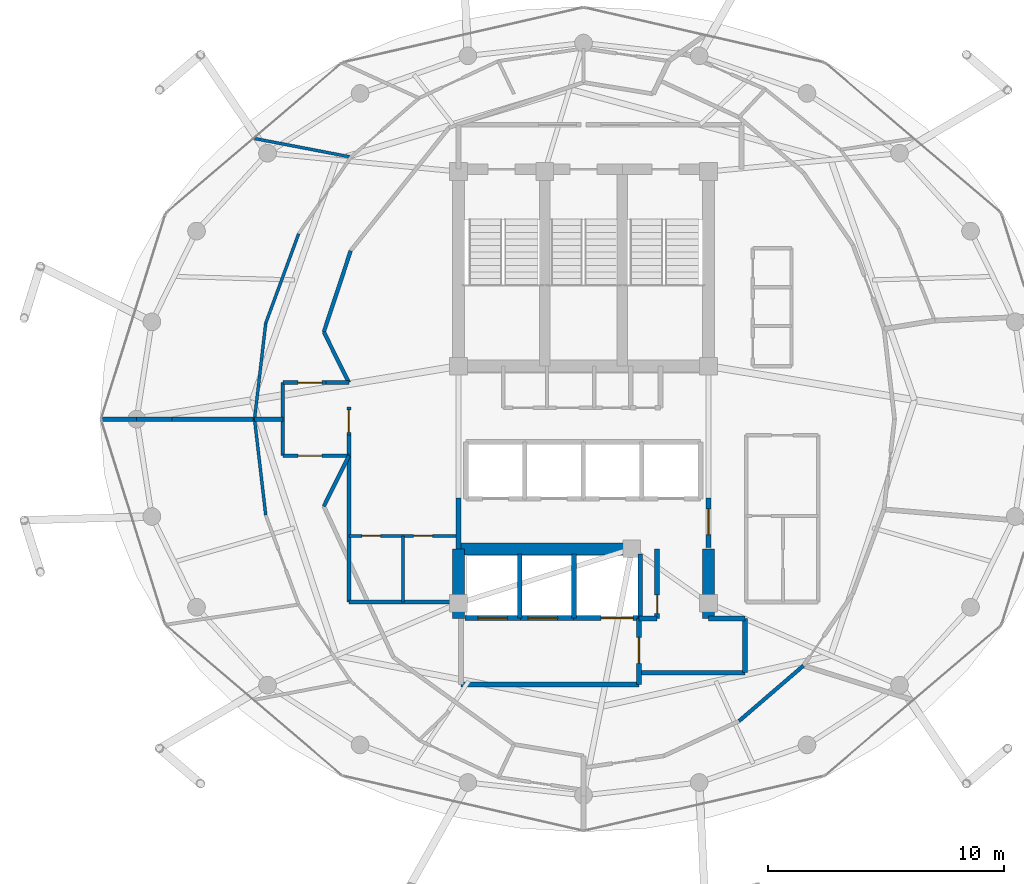
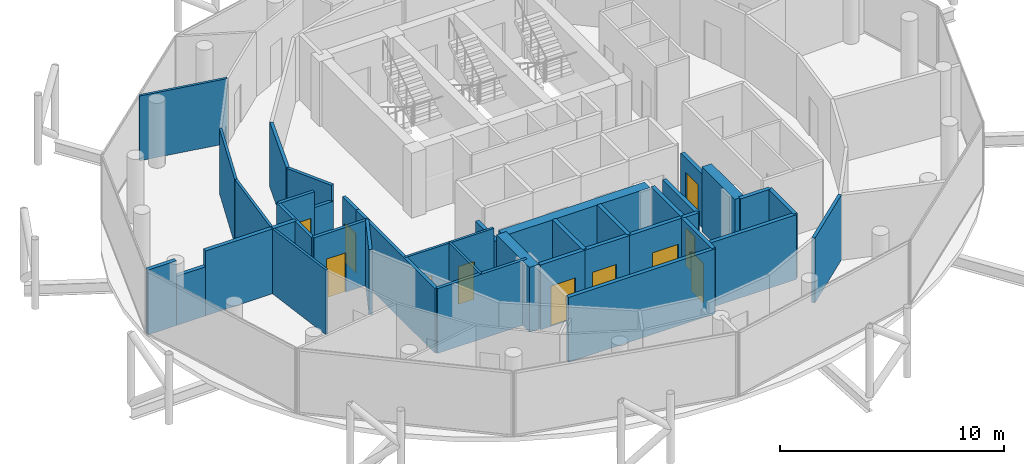
# One storey, part 20 of 24: 39 walls, 11 doors, 11 openings.
"""IFC4 building model written with IfcOpenShell, lengths in metres."""

from ifc_helpers import new_model, si_unit, direction, frame, frame_2d, origin, place, context, subcontext, project, spatial, rectangle, extrude, material, layer, layer_set, type_object, element, fill, save


model = new_model("IFC4")

# Units and contexts
model_context = context("Model", 3, precision=1e-05, world=origin(), true_north=direction((0.0, 1.0)))
body_context = subcontext(model_context, "Body", "Model", "MODEL_VIEW")
ifc_project = project(units=[si_unit("LENGTHUNIT", "METRE"), si_unit("AREAUNIT", "SQUARE_METRE"), si_unit("VOLUMEUNIT", "CUBIC_METRE"), si_unit("PLANEANGLEUNIT", "RADIAN"), si_unit("MASSUNIT", "GRAM", prefix="KILO")], contexts=[model_context])

# Site, building, storey
site_placement = place(None, origin())
site = spatial("IfcSite", under=ifc_project, at=site_placement, CompositionType="ELEMENT")
building_placement = place(site_placement, origin())
building = spatial("IfcBuilding", under=site, at=building_placement, Name="Nuhasar Tower", CompositionType="ELEMENT")
storey_placement = place(building_placement, frame((0.0, 0.0, 293.60009765625)))
storey = spatial("IfcBuildingStorey", under=building, at=storey_placement, Name="L73", CompositionType="ELEMENT", Elevation=293.60009765625)

# Walls
ifc_material_1 = material(Name="Concrete C50/60", Category="concrete")
ifc_layer_1 = layer(ifc_material_1, 0.5)
ifc_layer_set_1 = layer_set([ifc_layer_1], Name="Concrete C50/60")
wall_type_1 = type_object("IfcWallType", Name="WL-CORE-500", PredefinedType="SHEAR", material=ifc_layer_set_1)
for number, where, z_axis, x_axis, name in (
    (1, (33.699951171875, 18.35009765625, 0.0), (0.0, 0.0, 1.0), (0.0, 1.0, 0.0), "L73 Core Shear Wall CW-SW CW-500"),
    (2, (44.300048828125, 18.35009765625, 0.0), (0.0, 0.0, 1.0), (0.0, 1.0, 0.0), "L73 Core Shear Wall CW-SE CW-500"),
):
    element("IfcWall", number, at=place(storey_placement, frame(where, z_axis=z_axis, x_axis=x_axis)), inside=storey, type_object=wall_type_1, Name=name, PredefinedType="SHEAR", context=body_context, shape_type="SweptSolid", body=[
        extrude(rectangle(XDim=2.949951171875, YDim=0.5, at=frame_2d((1.47509765625, 0.0))), origin(), (0.0, 0.0, 1.0), 3.539794921875),
    ])
wall_1_placement = place(storey_placement, frame((33.699951171875, 21.300048828125, 0.0), z_axis=(0.0, 0.0, 1.0), x_axis=(1.0, 0.0, 0.0)))
element("IfcWall", 3, at=wall_1_placement, inside=storey, type_object=wall_type_1, Name="L73 Core Shear Wall CW-S1 CW-500", PredefinedType="SHEAR", context=body_context, shape_type="SweptSolid", body=[
    extrude(rectangle(XDim=7.550048828125, YDim=0.5, at=frame_2d((3.77490234375, 0.0))), origin(), (0.0, 0.0, 1.0), 3.539794921875),
])
ifc_material_2 = material(Name="Gypsum Board", Category="gypsum")
ifc_layer_2 = layer(ifc_material_2, 0.159912109375)
ifc_layer_set_2 = layer_set([ifc_layer_2], Name="Gypsum Board")
wall_type_2 = type_object("IfcWallType", Name="WL-CORR-160", PredefinedType="PARTITIONING", material=ifc_layer_set_2)
wall_2_placement = place(storey_placement, frame((29.050048828125, 19.050048828125, 0.0), z_axis=(0.0, 0.0, 1.0), x_axis=(1.0, 0.0, 0.0)))
element("IfcWall", 4, at=wall_2_placement, inside=storey, type_object=wall_type_2, Name="L73 Interior Partition RECL-B1-S", PredefinedType="PARTITIONING", context=body_context, shape_type="SweptSolid", body=[
    extrude(rectangle(XDim=4.64990234375, YDim=0.159912109375, at=frame_2d((2.324951171875, 0.0))), origin(), (0.0, 0.0, 1.0), 3.539794921875),
])
wall_3_placement = place(storey_placement, frame((29.050048828125, 19.050048828125, 0.0), z_axis=(0.0, 0.0, 1.0), x_axis=(0.0, 1.0, 0.0)))
element("IfcWall", 5, at=wall_3_placement, inside=storey, type_object=wall_type_2, Name="L73 Interior Partition RECL-B1-W", PredefinedType="PARTITIONING", context=body_context, shape_type="SweptSolid", body=[
    extrude(rectangle(XDim=7.070068359375, YDim=0.159912109375, at=frame_2d((3.53515625, 0.0))), origin(), (0.0, 0.0, 1.0), 3.539794921875),
])

# Wall, opening, door
wall_4_placement = place(storey_placement, frame((29.050048828125, 26.1201171875, 0.0), z_axis=(0.0, 0.0, 1.0), x_axis=(0.0, 1.0, 0.0)))
wall_4 = element("IfcWall", 6, at=wall_4_placement, inside=storey, type_object=wall_type_2, Name="L73 Interior Partition WVEST-E", PredefinedType="PARTITIONING", context=body_context, shape_type="SweptSolid", body=[
    extrude(rectangle(XDim=1.199951171875, YDim=0.159912109375, at=frame_2d((0.60009765625, 0.0))), origin(), (0.0, 0.0, 1.0), 3.539794921875),
])
opening_1_placement = place(wall_4_placement, frame((0.125, 0.0, 0.0)))
opening_1 = element("IfcOpeningElement", 7, at=opening_1_placement, cuts=wall_4, Name="Opening DO-01", PredefinedType="OPENING", context=body_context, shape_type="SweptSolid", body=[
    extrude(rectangle(XDim=0.949951171875, YDim=2.14990234375, at=frame_2d((0.47509765625, 1.074951171875))), frame((0.0, 0.08984375, 0.0), z_axis=(0.0, -1.0, 0.0), x_axis=(1.0, 0.0, 0.0)), (0.0, 0.0, 1.0), 0.179931640625),
])
ifc_material_3 = material(Name="Timber Oak", Category="wood")
door_type_1 = type_object("IfcDoorType", Name="DR-OFFICE-FD30-950", OperationType="NOTDEFINED", PredefinedType="DOOR", material=ifc_material_3)
door_1_placement = place(opening_1_placement, origin())
door_1 = element("IfcDoor", 8, at=door_1_placement, inside=storey, type_object=door_type_1, Name="L73 West Arrival Foyer Core Door", OperationType="SINGLE_SWING_RIGHT", OverallHeight=2.14990234375, OverallWidth=0.949951171875, PredefinedType="DOOR", context=body_context, shape_type="SweptSolid", body=[
    extrude(rectangle(XDim=0.949951171875, YDim=2.14990234375, at=frame_2d((0.47509765625, 1.074951171875))), frame((0.0, 0.02490234375, 0.0), z_axis=(0.0, -1.0, 0.0), x_axis=(1.0, 0.0, 0.0)), (0.0, 0.0, 1.0), 0.050048828125),
])
fill(opening_1, door_1)

# Walls
wall_5_placement = place(storey_placement, frame((45.594970703125, 14.0, 0.0), z_axis=(0.0, 0.0, 1.0), x_axis=(0.758232091793, 0.651984735231, 0.0)))
element("IfcWall", 9, at=wall_5_placement, inside=storey, type_object=wall_type_2, Name="L73 Interior Partition CORR-40", PredefinedType="PARTITIONING", context=body_context, shape_type="SweptSolid", body=[
    extrude(rectangle(XDim=3.60302734375, YDim=0.159912109375, at=frame_2d((1.801513671875, 0.0))), origin(), (0.0, 0.0, 1.0), 3.539794921875),
])
wall_6_placement = place(storey_placement, frame((29.126953125, 33.93994140625, 0.0), z_axis=(0.0, 0.0, 1.0), x_axis=(-0.313985571683, -0.949427754374, 0.0)))
element("IfcWall", 10, at=wall_6_placement, inside=storey, type_object=wall_type_2, Name="L73 Interior Partition UWEST-CORE-N2-20", PredefinedType="PARTITIONING", context=body_context, shape_type="SweptSolid", body=[
    extrude(rectangle(XDim=3.627197265625, YDim=0.159912109375, at=frame_2d((1.8134765625, 0.0))), origin(), (0.0, 0.0, 1.0), 3.539794921875),
])

# Wall, opening, door
wall_7_placement = place(storey_placement, frame((26.25, 28.35009765625, 0.0), z_axis=(0.0, 0.0, 1.0), x_axis=(1.0, 0.0, 0.0)))
wall_7 = element("IfcWall", 11, at=wall_7_placement, inside=storey, type_object=wall_type_2, Name="L73 Interior Partition WVEST-N", PredefinedType="PARTITIONING", context=body_context, shape_type="SweptSolid", body=[
    extrude(rectangle(XDim=1.820068359375, YDim=0.159912109375, at=frame_2d((0.91015625, 0.0))), origin(), (0.0, 0.0, 1.0), 3.539794921875),
])
opening_2_placement = place(wall_7_placement, frame((0.64990234375, 0.0, 0.0)))
opening_2 = element("IfcOpeningElement", 12, at=opening_2_placement, cuts=wall_7, Name="Opening DU-02", PredefinedType="OPENING", context=body_context, shape_type="SweptSolid", body=[
    extrude(rectangle(XDim=1.0, YDim=2.14990234375, at=frame_2d((0.5, 1.074951171875))), frame((0.0, 0.08984375, 0.0), z_axis=(0.0, -1.0, 0.0), x_axis=(1.0, 0.0, 0.0)), (0.0, 0.0, 1.0), 0.179931640625),
])
door_type_2 = type_object("IfcDoorType", Name="DR-FLAT-FD60-1000", OperationType="NOTDEFINED", PredefinedType="DOOR", material=ifc_material_3)
door_2_placement = place(opening_2_placement, origin())
door_2 = element("IfcDoor", 13, at=door_2_placement, inside=storey, type_object=door_type_2, Name="L73 North-West Sky Home Entrance", OperationType="SINGLE_SWING_LEFT", OverallHeight=2.14990234375, OverallWidth=1.0, PredefinedType="DOOR", context=body_context, shape_type="SweptSolid", body=[
    extrude(rectangle(XDim=1.0, YDim=2.14990234375, at=frame_2d((0.5, 1.074951171875))), frame((0.0, 0.02490234375, 0.0), z_axis=(0.0, -1.0, 0.0), x_axis=(1.0, 0.0, 0.0)), (0.0, 0.0, 1.0), 0.050048828125),
])
fill(opening_2, door_2)

# Wall
wall_8_placement = place(storey_placement, frame((28.070068359375, 28.35009765625, 0.0), z_axis=(0.0, 0.0, 1.0), x_axis=(1.0, 0.0, 0.0)))
element("IfcWall", 14, at=wall_8_placement, inside=storey, type_object=wall_type_2, Name="L73 Interior Partition WVEST-N", PredefinedType="PARTITIONING", context=body_context, shape_type="SweptSolid", body=[
    extrude(rectangle(XDim=0.97998046875, YDim=0.159912109375, at=frame_2d((0.489990234375, 0.0))), origin(), (0.0, 0.0, 1.0), 2.679931640625),
])

# Wall, opening, door
wall_9_placement = place(storey_placement, frame((26.25, 25.25, 0.0), z_axis=(0.0, 0.0, 1.0), x_axis=(1.0, 0.0, 0.0)))
wall_9 = element("IfcWall", 15, at=wall_9_placement, inside=storey, type_object=wall_type_2, Name="L73 Interior Partition WVEST-S", PredefinedType="PARTITIONING", context=body_context, shape_type="SweptSolid", body=[
    extrude(rectangle(XDim=2.800048828125, YDim=0.159912109375, at=frame_2d((1.39990234375, 0.0))), origin(), (0.0, 0.0, 1.0), 3.539794921875),
])
opening_3_placement = place(wall_9_placement, frame((0.64990234375, 0.0, 0.0)))
opening_3 = element("IfcOpeningElement", 16, at=opening_3_placement, cuts=wall_9, Name="Opening DU-02", PredefinedType="OPENING", context=body_context, shape_type="SweptSolid", body=[
    extrude(rectangle(XDim=1.0, YDim=2.14990234375, at=frame_2d((0.5, 1.074951171875))), frame((0.0, 0.08984375, 0.0), z_axis=(0.0, -1.0, 0.0), x_axis=(1.0, 0.0, 0.0)), (0.0, 0.0, 1.0), 0.179931640625),
])
door_3_placement = place(opening_3_placement, origin())
door_3 = element("IfcDoor", 17, at=door_3_placement, inside=storey, type_object=door_type_2, Name="L73 South-West Sky Home Entrance", OperationType="SINGLE_SWING_LEFT", OverallHeight=2.14990234375, OverallWidth=1.0, PredefinedType="DOOR", context=body_context, shape_type="SweptSolid", body=[
    extrude(rectangle(XDim=1.0, YDim=2.14990234375, at=frame_2d((0.5, 1.074951171875))), frame((0.0, 0.02490234375, 0.0), z_axis=(0.0, -1.0, 0.0), x_axis=(1.0, 0.0, 0.0)), (0.0, 0.0, 1.0), 0.050048828125),
])
fill(opening_3, door_3)

# Walls
wall_10_placement = place(storey_placement, frame((26.25, 25.25, 0.0), z_axis=(0.0, 0.0, 1.0), x_axis=(0.0, 1.0, 0.0)))
element("IfcWall", 18, at=wall_10_placement, inside=storey, type_object=wall_type_2, Name="L73 Interior Partition WVEST-W", PredefinedType="PARTITIONING", context=body_context, shape_type="SweptSolid", body=[
    extrude(rectangle(XDim=3.10009765625, YDim=0.159912109375, at=frame_2d((1.550048828125, 0.0))), origin(), (0.0, 0.0, 1.0), 3.539794921875),
])
for number, where, z_axis, x_axis, name in (
    (19, (27.988037109375, 30.49609375, 0.0), (0.0, 0.0, 1.0), (0.443539160525, -0.896254993337, 0.0), "L73 Interior Partition WVEST-CN"),
    (20, (27.988037109375, 23.10400390625, 0.0), (0.0, 0.0, 1.0), (0.443539160525, 0.896254993337, 0.0), "L73 Interior Partition WVEST-CS"),
):
    element("IfcWall", number, at=place(storey_placement, frame(where, z_axis=z_axis, x_axis=x_axis)), inside=storey, type_object=wall_type_2, Name=name, PredefinedType="PARTITIONING", context=body_context, shape_type="SweptSolid", body=[
        extrude(rectangle(XDim=2.394287109375, YDim=0.159912109375, at=frame_2d((1.197265625, 0.0))), origin(), (0.0, 0.0, 1.0), 3.539794921875),
    ])
ifc_material_4 = material(Name="Concrete C45/55", Category="concrete")
ifc_layer_3 = layer(ifc_material_4, 0.199951171875)
ifc_layer_set_3 = layer_set([ifc_layer_3], Name="Concrete C45/55")
wall_type_3 = type_object("IfcWallType", Name="WL-LOBBY-200", PredefinedType="SOLIDWALL", material=ifc_layer_set_3)
wall_11_placement = place(storey_placement, frame((33.699951171875, 21.300048828125, 0.0), z_axis=(0.0, 0.0, 1.0), x_axis=(0.0, 1.0, 0.0)))
element("IfcWall", 21, at=wall_11_placement, inside=storey, type_object=wall_type_3, Name="L73 Interior Partition LLBH-W", PredefinedType="SOLIDWALL", context=body_context, shape_type="SweptSolid", body=[
    extrude(rectangle(XDim=2.14990234375, YDim=0.199951171875, at=frame_2d((1.074951171875, 0.0))), origin(), (0.0, 0.0, 1.0), 2.9248046875),
])

# Wall, opening, door
wall_12_placement = place(storey_placement, frame((44.300048828125, 21.35009765625, 0.0), z_axis=(0.0, 0.0, 1.0), x_axis=(0.0, 1.0, 0.0)))
wall_12 = element("IfcWall", 22, at=wall_12_placement, inside=storey, type_object=wall_type_3, Name="L73 Interior Partition LLBH-E", PredefinedType="SOLIDWALL", context=body_context, shape_type="SweptSolid", body=[
    extrude(rectangle(XDim=2.099853515625, YDim=0.199951171875, at=frame_2d((1.0498046875, 0.0))), origin(), (0.0, 0.0, 1.0), 2.9248046875),
])
opening_4_placement = place(wall_12_placement, frame((0.550048828125, 0.0, 0.0)))
opening_4 = element("IfcOpeningElement", 23, at=opening_4_placement, cuts=wall_12, Name="Opening DS-02", PredefinedType="OPENING", context=body_context, shape_type="SweptSolid", body=[
    extrude(rectangle(XDim=1.10009765625, YDim=2.14990234375, at=frame_2d((0.550048828125, 1.074951171875))), frame((0.0, 0.10986328125, 0.0), z_axis=(0.0, -1.0, 0.0), x_axis=(1.0, 0.0, 0.0)), (0.0, 0.0, 1.0), 0.219970703125),
])
ifc_material_5 = material(Name="Steel S355", Category="steel")
door_type_3 = type_object("IfcDoorType", Name="DR-FFL-FD120-1100", OperationType="NOTDEFINED", PredefinedType="DOOR", material=ifc_material_5)
door_4_placement = place(opening_4_placement, origin())
door_4 = element("IfcDoor", 24, at=door_4_placement, inside=storey, type_object=door_type_3, Name="L73 High-Rise Lobby East Door", OperationType="SINGLE_SWING_RIGHT", OverallHeight=2.14990234375, OverallWidth=1.10009765625, PredefinedType="DOOR", context=body_context, shape_type="SweptSolid", body=[
    extrude(rectangle(XDim=1.10009765625, YDim=2.14990234375, at=frame_2d((0.550048828125, 1.074951171875))), frame((0.0, 0.02490234375, 0.0), z_axis=(0.0, -1.0, 0.0), x_axis=(1.0, 0.0, 0.0)), (0.0, 0.0, 1.0), 0.050048828125),
])
fill(opening_4, door_4)

# Wall
wall_13_placement = place(storey_placement, frame((33.800048828125, 15.550048828125, 0.0), z_axis=(0.0, 0.0, 1.0), x_axis=(1.0, 0.0, 0.0)))
element("IfcWall", 25, at=wall_13_placement, inside=storey, type_object=wall_type_3, Name="L73 Interior Partition FFL-S", PredefinedType="SOLIDWALL", context=body_context, shape_type="SweptSolid", body=[
    extrude(rectangle(XDim=7.550048828125, YDim=0.199951171875, at=frame_2d((3.77490234375, 0.0))), origin(), (0.0, 0.0, 1.0), 3.539794921875),
])

# Wall, opening, door
wall_14_placement = place(storey_placement, frame((41.35009765625, 15.550048828125, 0.0), z_axis=(0.0, 0.0, 1.0), x_axis=(0.0, 1.0, 0.0)))
wall_14 = element("IfcWall", 26, at=wall_14_placement, inside=storey, type_object=wall_type_3, Name="L73 Interior Partition FFL-E", PredefinedType="SOLIDWALL", context=body_context, shape_type="SweptSolid", body=[
    extrude(rectangle(XDim=2.800048828125, YDim=0.199951171875, at=frame_2d((1.39990234375, 0.0))), origin(), (0.0, 0.0, 1.0), 3.539794921875),
])
opening_5_placement = place(wall_14_placement, frame((0.89990234375, 0.0, 0.0)))
opening_5 = element("IfcOpeningElement", 27, at=opening_5_placement, cuts=wall_14, Name="Opening DS-02", PredefinedType="OPENING", context=body_context, shape_type="SweptSolid", body=[
    extrude(rectangle(XDim=1.10009765625, YDim=2.14990234375, at=frame_2d((0.550048828125, 1.074951171875))), frame((0.0, 0.10986328125, 0.0), z_axis=(0.0, -1.0, 0.0), x_axis=(1.0, 0.0, 0.0)), (0.0, 0.0, 1.0), 0.219970703125),
])
door_5_placement = place(opening_5_placement, origin())
door_5 = element("IfcDoor", 28, at=door_5_placement, inside=storey, type_object=door_type_3, Name="L73 Firefighting Lobby Door", OperationType="SINGLE_SWING_RIGHT", OverallHeight=2.14990234375, OverallWidth=1.10009765625, PredefinedType="DOOR", context=body_context, shape_type="SweptSolid", body=[
    extrude(rectangle(XDim=1.10009765625, YDim=2.14990234375, at=frame_2d((0.550048828125, 1.074951171875))), frame((0.0, 0.02490234375, 0.0), z_axis=(0.0, -1.0, 0.0), x_axis=(1.0, 0.0, 0.0)), (0.0, 0.0, 1.0), 0.050048828125),
])
fill(opening_5, door_5)

# Walls
wall_15_placement = place(storey_placement, frame((41.35009765625, 16.050048828125, 0.0), z_axis=(0.0, 0.0, 1.0), x_axis=(1.0, 0.0, 0.0)))
element("IfcWall", 29, at=wall_15_placement, inside=storey, type_object=wall_type_3, Name="L73 Interior Partition SVLV-S", PredefinedType="SOLIDWALL", context=body_context, shape_type="SweptSolid", body=[
    extrude(rectangle(XDim=4.5, YDim=0.199951171875, at=frame_2d((2.25, 0.0))), origin(), (0.0, 0.0, 1.0), 3.539794921875),
])
wall_16_placement = place(storey_placement, frame((45.85009765625, 16.050048828125, 0.0), z_axis=(0.0, 0.0, 1.0), x_axis=(0.0, 1.0, 0.0)))
element("IfcWall", 30, at=wall_16_placement, inside=storey, type_object=wall_type_3, Name="L73 Interior Partition SVLV-E", PredefinedType="SOLIDWALL", context=body_context, shape_type="SweptSolid", body=[
    extrude(rectangle(XDim=2.300048828125, YDim=0.199951171875, at=frame_2d((1.14990234375, 0.0))), origin(), (0.0, 0.0, 1.0), 3.539794921875),
])
wall_17_placement = place(storey_placement, frame((44.300048828125, 18.35009765625, 0.0), z_axis=(0.0, 0.0, 1.0), x_axis=(1.0, 0.0, 0.0)))
element("IfcWall", 31, at=wall_17_placement, inside=storey, type_object=wall_type_3, Name="L73 Interior Partition SVLV-N", PredefinedType="SOLIDWALL", context=body_context, shape_type="SweptSolid", body=[
    extrude(rectangle(XDim=1.550048828125, YDim=0.199951171875, at=frame_2d((0.77490234375, 0.0))), origin(), (0.0, 0.0, 1.0), 3.539794921875),
])

# Wall, openings, doors
ifc_layer_4 = layer(ifc_material_2, 0.125)
ifc_layer_set_4 = layer_set([ifc_layer_4], Name="Gypsum Board")
wall_type_4 = type_object("IfcWallType", Name="WL-PART-125", PredefinedType="PARTITIONING", material=ifc_layer_set_4)
wall_18_placement = place(storey_placement, frame((33.60009765625, 21.85009765625, 0.0), z_axis=(0.0, 0.0, 1.0), x_axis=(-1.0, 0.0, 0.0)))
wall_18 = element("IfcWall", 32, at=wall_18_placement, inside=storey, type_object=wall_type_4, Name="L73 Interior Partition HKPK1-N", PredefinedType="PARTITIONING", context=body_context, shape_type="SweptSolid", body=[
    extrude(rectangle(XDim=4.550048828125, YDim=0.125, at=frame_2d((2.27490234375, 0.0))), origin(), (0.0, 0.0, 1.0), 3.539794921875),
])
opening_6_placement = place(wall_18_placement, frame((3.199951171875, 0.0, 0.0)))
opening_6 = element("IfcOpeningElement", 33, at=opening_6_placement, cuts=wall_18, Name="Opening DM-01", PredefinedType="OPENING", context=body_context, shape_type="SweptSolid", body=[
    extrude(rectangle(XDim=0.800048828125, YDim=2.050048828125, at=frame_2d((0.39990234375, 1.02490234375))), frame((0.0, 0.072509765625, 0.0), z_axis=(0.0, -1.0, 0.0), x_axis=(1.0, 0.0, 0.0)), (0.0, 0.0, 1.0), 0.14501953125),
])
opening_7_placement = place(wall_18_placement, frame((1.0, 0.0, 0.0)))
opening_7 = element("IfcOpeningElement", 34, at=opening_7_placement, cuts=wall_18, Name="Opening DM-01", PredefinedType="OPENING", context=body_context, shape_type="SweptSolid", body=[
    extrude(rectangle(XDim=0.800048828125, YDim=2.050048828125, at=frame_2d((0.39990234375, 1.02490234375))), frame((0.0, 0.072509765625, 0.0), z_axis=(0.0, -1.0, 0.0), x_axis=(1.0, 0.0, 0.0)), (0.0, 0.0, 1.0), 0.14501953125),
])
door_type_4 = type_object("IfcDoorType", Name="DR-RISER-FD60-800", OperationType="NOTDEFINED", PredefinedType="DOOR", material=ifc_material_5)
door_6_placement = place(opening_6_placement, origin())
door_6 = element("IfcDoor", 35, at=door_6_placement, inside=storey, type_object=door_type_4, Name="L73 Housekeeping Closet Door", OperationType="SINGLE_SWING_RIGHT", OverallHeight=2.050048828125, OverallWidth=0.800048828125, PredefinedType="DOOR", context=body_context, shape_type="SweptSolid", body=[
    extrude(rectangle(XDim=0.800048828125, YDim=2.050048828125, at=frame_2d((0.39990234375, 1.02490234375))), frame((0.0, 0.02490234375, 0.0), z_axis=(0.0, -1.0, 0.0), x_axis=(1.0, 0.0, 0.0)), (0.0, 0.0, 1.0), 0.050048828125),
])
fill(opening_6, door_6)
door_7_placement = place(opening_7_placement, origin())
door_7 = element("IfcDoor", 36, at=door_7_placement, inside=storey, type_object=door_type_4, Name="L73 Linen Store Door", OperationType="SINGLE_SWING_LEFT", OverallHeight=2.050048828125, OverallWidth=0.800048828125, PredefinedType="DOOR", context=body_context, shape_type="SweptSolid", body=[
    extrude(rectangle(XDim=0.800048828125, YDim=2.050048828125, at=frame_2d((0.39990234375, 1.02490234375))), frame((0.0, 0.02490234375, 0.0), z_axis=(0.0, -1.0, 0.0), x_axis=(1.0, 0.0, 0.0)), (0.0, 0.0, 1.0), 0.050048828125),
])
fill(opening_7, door_7)

# Walls
wall_19_placement = place(storey_placement, frame((31.35009765625, 19.050048828125, 0.0), z_axis=(0.0, 0.0, 1.0), x_axis=(0.0, 1.0, 0.0)))
element("IfcWall", 37, at=wall_19_placement, inside=storey, type_object=wall_type_4, Name="L73 Interior Partition HKPK1-V", PredefinedType="PARTITIONING", context=body_context, shape_type="SweptSolid", body=[
    extrude(rectangle(XDim=2.800048828125, YDim=0.125, at=frame_2d((1.39990234375, 0.0))), origin(), (0.0, 0.0, 1.0), 3.539794921875),
])
wall_20_placement = place(storey_placement, frame((26.9189453125, 34.659912109375, 0.0), z_axis=(0.0, 0.0, 1.0), x_axis=(-0.345128286029, -0.938555521097, 0.0)))
element("IfcWall", 38, at=wall_20_placement, inside=storey, type_object=wall_type_4, Name="L73 Interior Partition USM-1-D-20", PredefinedType="PARTITIONING", context=body_context, shape_type="SweptSolid", body=[
    extrude(rectangle(XDim=4.039306640625, YDim=0.125, at=frame_2d((2.01953125, 0.0))), origin(), (0.0, 0.0, 1.0), 3.539794921875),
])
wall_21_placement = place(storey_placement, frame((25.52490234375, 30.868896484375, 0.0), z_axis=(0.0, 0.0, 1.0), x_axis=(-0.115917937966, -0.993258793899, 0.0)))
element("IfcWall", 39, at=wall_21_placement, inside=storey, type_object=wall_type_4, Name="L73 Interior Partition USM-1-D-22", PredefinedType="PARTITIONING", context=body_context, shape_type="SweptSolid", body=[
    extrude(rectangle(XDim=4.096435546875, YDim=0.125, at=frame_2d((2.04833984375, 0.0))), origin(), (0.0, 0.0, 1.0), 3.539794921875),
])
wall_22_placement = place(storey_placement, frame((29.135986328125, 37.916015625, 0.0), z_axis=(0.0, 0.0, 1.0), x_axis=(-0.982044095555, 0.188651515727, 0.0)))
element("IfcWall", 40, at=wall_22_placement, inside=storey, type_object=wall_type_4, Name="L73 Interior Partition USO-1-B2", PredefinedType="PARTITIONING", context=body_context, shape_type="SweptSolid", body=[
    extrude(rectangle(XDim=4.16064453125, YDim=0.125, at=frame_2d((2.080322265625, 0.0))), origin(), (0.0, 0.0, 1.0), 3.539794921875),
])
wall_23_placement = place(storey_placement, frame((25.050048828125, 26.800048828125, 0.0), z_axis=(0.0, 0.0, 1.0), x_axis=(0.115911076473, -0.993259594643, 0.0)))
element("IfcWall", 41, at=wall_23_placement, inside=storey, type_object=wall_type_4, Name="L73 Interior Partition USM-2-D-24", PredefinedType="PARTITIONING", context=body_context, shape_type="SweptSolid", body=[
    extrude(rectangle(XDim=4.0966796875, YDim=0.125, at=frame_2d((2.04833984375, 0.0))), origin(), (0.0, 0.0, 1.0), 3.539794921875),
])

# Wall, opening, door
ifc_layer_5 = layer(ifc_material_4, 0.199951171875)
ifc_layer_set_5 = layer_set([ifc_layer_5], Name="Concrete C45/55")
wall_type_5 = type_object("IfcWallType", Name="WL-SHAFT-200", PredefinedType="SOLIDWALL", material=ifc_layer_set_5)
wall_24_placement = place(storey_placement, frame((33.969970703125, 18.3701171875, 0.0), z_axis=(0.0, 0.0, 1.0), x_axis=(1.0, 0.0, 0.0)))
wall_24 = element("IfcWall", 42, at=wall_24_placement, inside=storey, type_object=wall_type_5, Name="L73 Interior Partition SHF-FFL-01-S", PredefinedType="SOLIDWALL", context=body_context, shape_type="SweptSolid", body=[
    extrude(rectangle(XDim=2.360107421875, YDim=0.199951171875, at=frame_2d((1.18017578125, 0.0))), origin(), (0.0, 0.0, 1.0), 3.539794921875),
])
opening_8_placement = place(wall_24_placement, frame((0.554931640625, 0.0, 0.0)))
opening_8 = element("IfcOpeningElement", 43, at=opening_8_placement, cuts=wall_24, Name="Opening LD-F01", PredefinedType="OPENING", context=body_context, shape_type="SweptSolid", body=[
    extrude(rectangle(XDim=1.25, YDim=2.199951171875, at=frame_2d((0.625, 1.10009765625))), frame((0.0, 0.10986328125, 0.0), z_axis=(0.0, -1.0, 0.0), x_axis=(1.0, 0.0, 0.0)), (0.0, 0.0, 1.0), 0.219970703125),
])
ifc_material_6 = material(Name="Stainless Steel 316L", Category="steel")
door_type_5 = type_object("IfcDoorType", Name="LD-FFL-1250", OperationType="DOUBLE_DOOR_SLIDING", PredefinedType="DOOR", material=ifc_material_6)
door_8_placement = place(opening_8_placement, origin())
door_8 = element("IfcDoor", 44, at=door_8_placement, inside=storey, type_object=door_type_5, Name="L73 Lift Landing Door FFL-01", OperationType="DOUBLE_DOOR_SLIDING", OverallHeight=2.199951171875, OverallWidth=1.25, PredefinedType="DOOR", context=body_context, shape_type="SweptSolid", body=[
    extrude(rectangle(XDim=1.25, YDim=2.199951171875, at=frame_2d((0.625, 1.10009765625))), frame((0.0, 0.02490234375, 0.0), z_axis=(0.0, -1.0, 0.0), x_axis=(1.0, 0.0, 0.0)), (0.0, 0.0, 1.0), 0.050048828125),
])
fill(opening_8, door_8)

# Wall
wall_25_placement = place(storey_placement, frame((36.300048828125, 18.3701171875, 0.0), z_axis=(0.0, 0.0, 1.0), x_axis=(0.0, 1.0, 0.0)))
element("IfcWall", 45, at=wall_25_placement, inside=storey, type_object=wall_type_5, Name="L73 Interior Partition SHF-FFL-01-E", PredefinedType="SOLIDWALL", context=body_context, shape_type="SweptSolid", body=[
    extrude(rectangle(XDim=2.7099609375, YDim=0.199951171875, at=frame_2d((1.35498046875, 0.0))), origin(), (0.0, 0.0, 1.0), 3.539794921875),
])

# Wall, opening, door
wall_26_placement = place(storey_placement, frame((36.27001953125, 18.3701171875, 0.0), z_axis=(0.0, 0.0, 1.0), x_axis=(1.0, 0.0, 0.0)))
wall_26 = element("IfcWall", 46, at=wall_26_placement, inside=storey, type_object=wall_type_5, Name="L73 Interior Partition SHF-FFL-02-S", PredefinedType="SOLIDWALL", context=body_context, shape_type="SweptSolid", body=[
    extrude(rectangle(XDim=2.35986328125, YDim=0.199951171875, at=frame_2d((1.179931640625, 0.0))), origin(), (0.0, 0.0, 1.0), 3.539794921875),
])
opening_9_placement = place(wall_26_placement, frame((0.3798828125, 0.0, 0.0)))
opening_9 = element("IfcOpeningElement", 47, at=opening_9_placement, cuts=wall_26, Name="Opening LD-F02", PredefinedType="OPENING", context=body_context, shape_type="SweptSolid", body=[
    extrude(rectangle(XDim=1.25, YDim=2.199951171875, at=frame_2d((0.625, 1.10009765625))), frame((0.0, 0.10986328125, 0.0), z_axis=(0.0, -1.0, 0.0), x_axis=(1.0, 0.0, 0.0)), (0.0, 0.0, 1.0), 0.219970703125),
])
door_9_placement = place(opening_9_placement, origin())
door_9 = element("IfcDoor", 48, at=door_9_placement, inside=storey, type_object=door_type_5, Name="L73 Lift Landing Door FFL-02", OperationType="DOUBLE_DOOR_SLIDING", OverallHeight=2.199951171875, OverallWidth=1.25, PredefinedType="DOOR", context=body_context, shape_type="SweptSolid", body=[
    extrude(rectangle(XDim=1.25, YDim=2.199951171875, at=frame_2d((0.625, 1.10009765625))), frame((0.0, 0.02490234375, 0.0), z_axis=(0.0, -1.0, 0.0), x_axis=(1.0, 0.0, 0.0)), (0.0, 0.0, 1.0), 0.050048828125),
])
fill(opening_9, door_9)

# Wall
wall_27_placement = place(storey_placement, frame((38.60009765625, 18.3701171875, 0.0), z_axis=(0.0, 0.0, 1.0), x_axis=(0.0, 1.0, 0.0)))
element("IfcWall", 49, at=wall_27_placement, inside=storey, type_object=wall_type_5, Name="L73 Interior Partition SHF-FFL-02-E", PredefinedType="SOLIDWALL", context=body_context, shape_type="SweptSolid", body=[
    extrude(rectangle(XDim=2.7099609375, YDim=0.199951171875, at=frame_2d((1.35498046875, 0.0))), origin(), (0.0, 0.0, 1.0), 3.539794921875),
])

# Wall, opening, door
wall_28_placement = place(storey_placement, frame((38.570068359375, 18.3701171875, 0.0), z_axis=(0.0, 0.0, 1.0), x_axis=(1.0, 0.0, 0.0)))
wall_28 = element("IfcWall", 50, at=wall_28_placement, inside=storey, type_object=wall_type_5, Name="L73 Interior Partition SHF-SVL-01-S", PredefinedType="SOLIDWALL", context=body_context, shape_type="SweptSolid", body=[
    extrude(rectangle(XDim=2.829833984375, YDim=0.199951171875, at=frame_2d((1.4150390625, 0.0))), origin(), (0.0, 0.0, 1.0), 3.539794921875),
])
opening_10_placement = place(wall_28_placement, frame((1.179931640625, 0.0, 0.0)))
opening_10 = element("IfcOpeningElement", 51, at=opening_10_placement, cuts=wall_28, Name="Opening LD-S01", PredefinedType="OPENING", context=body_context, shape_type="SweptSolid", body=[
    extrude(rectangle(XDim=1.35009765625, YDim=2.179931640625, at=frame_2d((0.675048828125, 1.08984375))), frame((0.0, 0.10986328125, 0.0), z_axis=(0.0, -1.0, 0.0), x_axis=(1.0, 0.0, 0.0)), (0.0, 0.0, 1.0), 0.219970703125),
])
door_type_6 = type_object("IfcDoorType", Name="LD-SVL-1350", OperationType="DOUBLE_DOOR_SLIDING", PredefinedType="DOOR", material=ifc_material_6)
door_10_placement = place(opening_10_placement, origin())
door_10 = element("IfcDoor", 52, at=door_10_placement, inside=storey, type_object=door_type_6, Name="L73 Lift Landing Door SVL-01", OperationType="DOUBLE_DOOR_SLIDING", OverallHeight=2.179931640625, OverallWidth=1.35009765625, PredefinedType="DOOR", context=body_context, shape_type="SweptSolid", body=[
    extrude(rectangle(XDim=1.35009765625, YDim=2.179931640625, at=frame_2d((0.675048828125, 1.08984375))), frame((0.0, 0.02490234375, 0.0), z_axis=(0.0, -1.0, 0.0), x_axis=(1.0, 0.0, 0.0)), (0.0, 0.0, 1.0), 0.050048828125),
])
fill(opening_10, door_10)

# Wall
wall_29_placement = place(storey_placement, frame((41.39990234375, 18.3701171875, 0.0), z_axis=(0.0, 0.0, 1.0), x_axis=(0.0, 1.0, 0.0)))
element("IfcWall", 53, at=wall_29_placement, inside=storey, type_object=wall_type_5, Name="L73 Interior Partition SHF-SVL-01-E", PredefinedType="SOLIDWALL", context=body_context, shape_type="SweptSolid", body=[
    extrude(rectangle(XDim=2.7099609375, YDim=0.199951171875, at=frame_2d((1.35498046875, 0.0))), origin(), (0.0, 0.0, 1.0), 3.539794921875),
])

# Wall, opening, door
wall_30_placement = place(storey_placement, frame((42.1201171875, 18.35009765625, 0.0), z_axis=(0.0, 0.0, 1.0), x_axis=(0.0, 1.0, 0.0)))
wall_30 = element("IfcWall", 54, at=wall_30_placement, inside=storey, type_object=wall_type_5, Name="L73 Interior Partition RSR-E", PredefinedType="SOLIDWALL", context=body_context, shape_type="SweptSolid", body=[
    extrude(rectangle(XDim=2.949951171875, YDim=0.199951171875, at=frame_2d((1.47509765625, 0.0))), origin(), (0.0, 0.0, 1.0), 3.539794921875),
])
opening_11_placement = place(wall_30_placement, frame((0.199951171875, 0.0, 0.0)))
opening_11 = element("IfcOpeningElement", 55, at=opening_11_placement, cuts=wall_30, Name="Opening DM-01", PredefinedType="OPENING", context=body_context, shape_type="SweptSolid", body=[
    extrude(rectangle(XDim=0.800048828125, YDim=2.050048828125, at=frame_2d((0.39990234375, 1.02490234375))), frame((0.0, 0.10986328125, 0.0), z_axis=(0.0, -1.0, 0.0), x_axis=(1.0, 0.0, 0.0)), (0.0, 0.0, 1.0), 0.219970703125),
])
door_11_placement = place(opening_11_placement, origin())
door_11 = element("IfcDoor", 56, at=door_11_placement, inside=storey, type_object=door_type_4, Name="L73 MEP Riser Access Door", OperationType="SINGLE_SWING_LEFT", OverallHeight=2.050048828125, OverallWidth=0.800048828125, PredefinedType="DOOR", context=body_context, shape_type="SweptSolid", body=[
    extrude(rectangle(XDim=0.800048828125, YDim=2.050048828125, at=frame_2d((0.39990234375, 1.02490234375))), frame((0.0, 0.02490234375, 0.0), z_axis=(0.0, -1.0, 0.0), x_axis=(1.0, 0.0, 0.0)), (0.0, 0.0, 1.0), 0.050048828125),
])
fill(opening_11, door_11)

# Walls
wall_31_placement = place(storey_placement, frame((41.35009765625, 18.35009765625, 0.0), z_axis=(0.0, 0.0, 1.0), x_axis=(1.0, 0.0, 0.0)))
element("IfcWall", 57, at=wall_31_placement, inside=storey, type_object=wall_type_5, Name="L73 Interior Partition RSR-S", PredefinedType="SOLIDWALL", context=body_context, shape_type="SweptSolid", body=[
    extrude(rectangle(XDim=0.77001953125, YDim=0.199951171875, at=frame_2d((0.385009765625, 0.0))), origin(), (0.0, 0.0, 1.0), 3.539794921875),
])
ifc_material_7 = material(Name="Concrete C40/50 precast", Category="concrete")
ifc_layer_6 = layer(ifc_material_7, 0.199951171875)
ifc_layer_set_6 = layer_set([ifc_layer_6], Name="Concrete C40/50 precast")
wall_type_6 = type_object("IfcWallType", Name="WL-UNIT-200", PredefinedType="PARTITIONING", material=ifc_layer_set_6)
wall_32_placement = place(storey_placement, frame((26.25, 26.800048828125, 0.0), z_axis=(0.0, 0.0, 1.0), x_axis=(-1.0, 0.0, 0.0)))
element("IfcWall", 58, at=wall_32_placement, inside=storey, type_object=wall_type_6, Name="L73 Interior Partition UWEST-PARTY-IN", PredefinedType="PARTITIONING", context=body_context, shape_type="SweptSolid", body=[
    extrude(rectangle(XDim=1.199951171875, YDim=0.199951171875, at=frame_2d((0.60009765625, 0.0))), origin(), (0.0, 0.0, 1.0), 3.539794921875),
])
wall_33_placement = place(storey_placement, frame((25.050048828125, 26.800048828125, 0.0), z_axis=(0.0, 0.0, 1.0), x_axis=(-1.0, 0.0, 0.0)))
element("IfcWall", 59, at=wall_33_placement, inside=storey, type_object=wall_type_6, Name="L73 Interior Partition UWEST-PARTY-OUT", PredefinedType="PARTITIONING", context=body_context, shape_type="SweptSolid", body=[
    extrude(rectangle(XDim=3.49609375, YDim=0.199951171875, at=frame_2d((1.748046875, 0.0))), origin(), (0.0, 0.0, 1.0), 3.539794921875),
])
wall_34_placement = place(storey_placement, frame((21.553955078125, 26.800048828125, 0.0), z_axis=(0.0, 0.0, 1.0), x_axis=(-1.0, 0.0, 0.0)))
element("IfcWall", 60, at=wall_34_placement, inside=storey, type_object=wall_type_6, Name="L73 Interior Partition UWEST-PARTY-OUT", PredefinedType="PARTITIONING", context=body_context, shape_type="SweptSolid", body=[
    extrude(rectangle(XDim=1.52001953125, YDim=0.199951171875, at=frame_2d((0.760009765625, 0.0))), origin(), (0.0, 0.0, 1.0), 2.679931640625),
])
wall_35_placement = place(storey_placement, frame((20.033935546875, 26.800048828125, 0.0), z_axis=(0.0, 0.0, 1.0), x_axis=(-1.0, 0.0, 0.0)))
element("IfcWall", 61, at=wall_35_placement, inside=storey, type_object=wall_type_6, Name="L73 Interior Partition UWEST-PARTY-OUT", PredefinedType="PARTITIONING", context=body_context, shape_type="SweptSolid", body=[
    extrude(rectangle(XDim=1.458984375, YDim=0.199951171875, at=frame_2d((0.7294921875, 0.0))), origin(), (0.0, 0.0, 1.0), 3.539794921875),
])

save(model, "model.ifc")
